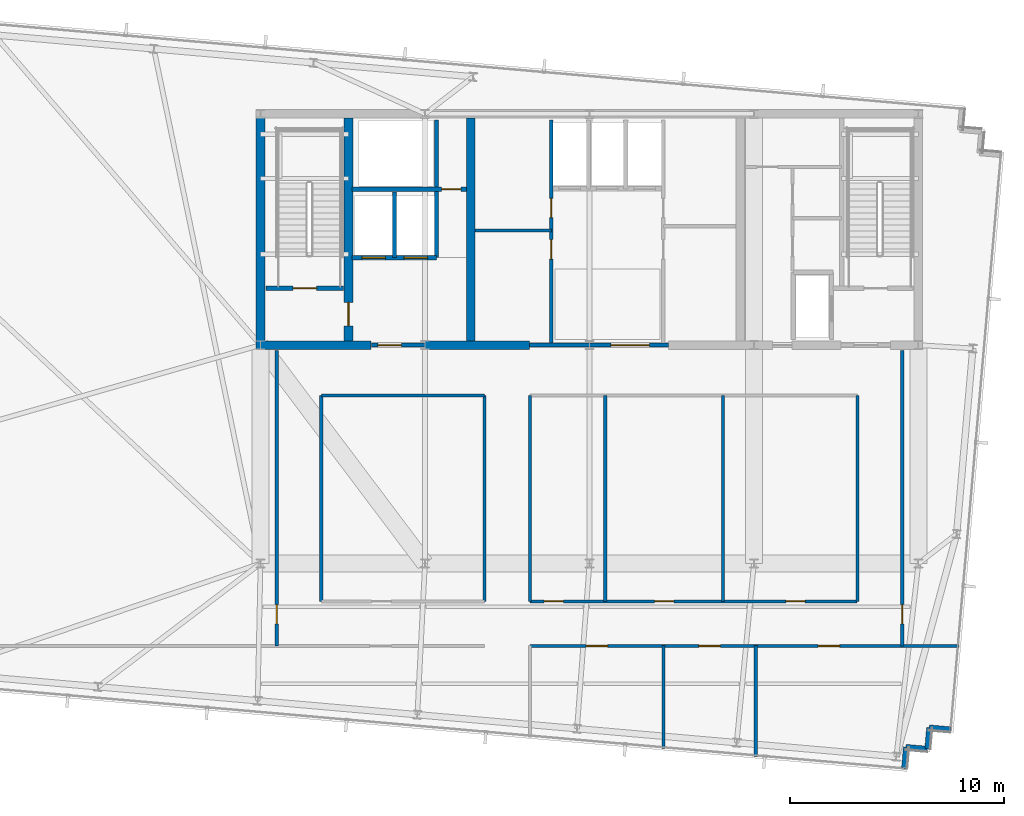
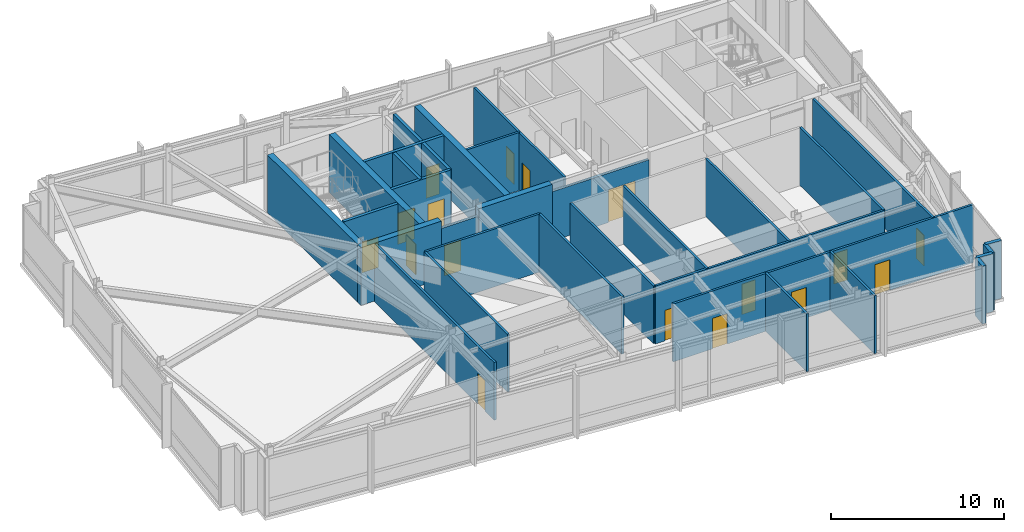
# One storey, part 19 of 25: 31 walls, 17 doors, 17 openings.
"""IFC4 building model written with IfcOpenShell, lengths in metres."""

import ifcopenshell
import ifcopenshell.guid

model = None  # the IFC model being written
_history = None  # IfcOwnerHistory: only IFC2X3 demands one
_inside = {}  # id of a spatial element -> (the spatial element, [elements in it])
_under = {}  # id of a project, library or spatial element -> (it, [spatial elements below it])
_declared = {}  # id of a project -> (the project, [libraries it declares])
_typed = {}  # id of a type object -> (the type object, [elements of that type])
_made_of = {}  # id of a material, layer set ... -> (it, [elements and type objects made of it])


def new_model(schema):
    """Start an empty IFC model of exactly this schema.

    Asked for "IFC4X3", IfcOpenShell would pick the latest addendum, in which some entities
    have other attributes; the version numbers below select the first issue.
    IFC2X3 requires an IfcOwnerHistory on every rooted entity: one is made here for all.
    """
    global model, _history
    if schema == "IFC4X3":
        model = ifcopenshell.file(schema_version=(4, 3, 0, 0))
    else:
        model = ifcopenshell.file(schema=schema)
    _inside.clear()
    _under.clear()
    _declared.clear()
    _typed.clear()
    _made_of.clear()
    _history = None
    if model.schema == "IFC2X3":
        org = make("IfcOrganization", Name="unknown")
        user = make(
            "IfcPersonAndOrganization",
            ThePerson=make("IfcPerson", FamilyName="unknown"),
            TheOrganization=org,
        )
        app = make(
            "IfcApplication",
            ApplicationDeveloper=org,
            Version="unknown",
            ApplicationFullName="unknown",
            ApplicationIdentifier="unknown",
        )
        _history = make(
            "IfcOwnerHistory",
            OwningUser=user,
            OwningApplication=app,
            ChangeAction="ADDED",
            CreationDate=0,
        )
    return model


def make(cls, **values):
    """One entity of the class cls with the attributes given. An attribute that is None is left unset."""
    return model.create_entity(
        cls, **{name: value for name, value in values.items() if value is not None}
    )


def rooted(cls, **values):
    """An entity with a GlobalId (a new one), such as an element, a storey or a relation."""
    return make(cls, GlobalId=ifcopenshell.guid.new(), OwnerHistory=_history, **values)


def si_unit(unit_type, name, prefix=None):
    """IfcSIUnit, for example si_unit("LENGTHUNIT", "METRE", prefix="MILLI")."""
    return make("IfcSIUnit", UnitType=unit_type, Prefix=prefix, Name=name)


def assignment(units):
    """IfcUnitAssignment: the units of a project."""
    return None if units is None else make("IfcUnitAssignment", Units=units)


def point(xyz):
    """IfcCartesianPoint."""
    return None if xyz is None else make("IfcCartesianPoint", Coordinates=xyz)


def direction(xyz):
    """IfcDirection."""
    return None if xyz is None else make("IfcDirection", DirectionRatios=xyz)


def frame(location, z_axis=None, x_axis=None):
    """IfcAxis2Placement3D, a coordinate frame: its origin and axes. An axis left out is left unset."""
    return make(
        "IfcAxis2Placement3D",
        Location=point(location),
        Axis=direction(z_axis),
        RefDirection=direction(x_axis),
    )


def frame_2d(location, x_axis=None):
    """IfcAxis2Placement2D, a coordinate frame in the plane: its origin and x axis."""
    return make(
        "IfcAxis2Placement2D", Location=point(location), RefDirection=direction(x_axis)
    )


def origin():
    """The frame at (0, 0, 0) with its axes left unset."""
    return frame((0.0, 0.0, 0.0))


def place(relative_to, where):
    """IfcLocalPlacement: puts the frame where relative to a parent placement (None: the world)."""
    return make(
        "IfcLocalPlacement", PlacementRelTo=relative_to, RelativePlacement=where
    )


def context(
    kind, dimensions, precision=None, world=None, true_north=None, identifier=None
):
    """IfcGeometricRepresentationContext, for example the 3D "Model" context."""
    return make(
        "IfcGeometricRepresentationContext",
        ContextIdentifier=identifier,
        ContextType=kind,
        CoordinateSpaceDimension=dimensions,
        Precision=precision,
        WorldCoordinateSystem=world,
        TrueNorth=true_north,
    )


def subcontext(parent, identifier, kind, view, scale=None):
    """IfcGeometricRepresentationSubContext, for example "Body" below "Model"."""
    return make(
        "IfcGeometricRepresentationSubContext",
        ContextIdentifier=identifier,
        ContextType=kind,
        ParentContext=parent,
        TargetScale=scale,
        TargetView=view,
    )


def project(units=None, contexts=None):
    """IfcProject with its units and contexts."""
    return rooted(
        "IfcProject",
        Name="project",
        RepresentationContexts=contexts,
        UnitsInContext=assignment(units),
    )


def spatial(cls, under=None, at=None, **own):
    """A site, building, storey or space (cls), placed at a placement, below another one or the project."""
    s = rooted(cls, ObjectPlacement=at, **own)
    if under is not None:
        _under.setdefault(under.id(), (under, []))[1].append(s)
    return s


def profile(cls, at=None, kind="AREA", **sizes):
    """A parametric profile (cls). Its sizes go by their IFC names, for example OverallWidth=200.0."""
    return make(cls, ProfileType=kind, Position=at, **sizes)


def rectangle(**sizes):
    """IfcRectangleProfileDef."""
    return profile("IfcRectangleProfileDef", **sizes)


def extrude(swept, where, along, depth):
    """IfcExtrudedAreaSolid: the profile swept, set in the frame where, extruded along a direction by depth."""
    return make(
        "IfcExtrudedAreaSolid",
        SweptArea=swept,
        Position=where,
        ExtrudedDirection=direction(along),
        Depth=depth,
    )


def shape(context_of_items, identifier, shape_type, items):
    """IfcShapeRepresentation: the items that make up one representation, for example the "Body"."""
    return make(
        "IfcShapeRepresentation",
        ContextOfItems=context_of_items,
        RepresentationIdentifier=identifier,
        RepresentationType=shape_type,
        Items=items,
    )


def material(Name=None, Category=None):
    """IfcMaterial."""
    return make("IfcMaterial", Name=Name, Category=Category)


def layer(
    of_material, thickness, ventilated=None, Name=None, Category=None, Priority=None
):
    """IfcMaterialLayer: one layer of a wall or slab, of a material (None: an air gap)."""
    return make(
        "IfcMaterialLayer",
        Material=of_material,
        LayerThickness=thickness,
        IsVentilated=ventilated,
        Name=Name,
        Category=Category,
        Priority=Priority,
    )


def layer_set(layers, Name=None):
    """IfcMaterialLayerSet."""
    return make("IfcMaterialLayerSet", MaterialLayers=layers, LayerSetName=Name)


def made_of(thing, what):
    """Note that an element or type object is made of a material, layer set ...; save() writes the relation."""
    if what is not None:
        _made_of.setdefault(what.id(), (what, []))[1].append(thing)
    return thing


def type_object(cls, material=None, **own):
    """A type object (cls), such as IfcWallType, which elements share."""
    return made_of(rooted(cls, **own), material)


def element(
    cls,
    number,
    at=None,
    inside=None,
    cuts=None,
    type_object=None,
    material=None,
    context=None,
    identifier="Body",
    shape_type=None,
    held_by="IfcProductDefinitionShape",
    body=None,
    shapes=None,
    **own,
):
    """One element of the class cls, such as IfcWall. Its Tag is "e" and its number.

    at: its placement. inside: the storey or other place that contains it. cuts: it is an
    opening in that element (IfcRelVoidsElement). A single representation is given by context,
    identifier, shape_type and body (its items); several are given by shapes. held_by: the class
    of the entity that holds the representations. save() writes the other relations.
    """
    e = rooted(cls, Tag="e%d" % number, ObjectPlacement=at, **own)
    if body is not None:
        shapes = [shape(context, identifier, shape_type, body)]
    if shapes is not None:
        e.Representation = make(held_by, Representations=shapes)
    if inside is not None:
        _inside.setdefault(inside.id(), (inside, []))[1].append(e)
    if cuts is not None:
        rooted(
            "IfcRelVoidsElement", RelatingBuildingElement=cuts, RelatedOpeningElement=e
        )
    if type_object is not None:
        _typed.setdefault(type_object.id(), (type_object, []))[1].append(e)
    return made_of(e, material)


def fill(opening, filler):
    """IfcRelFillsElement: the door or window that sits in an opening."""
    return rooted(
        "IfcRelFillsElement",
        RelatingOpeningElement=opening,
        RelatedBuildingElement=filler,
    )


def aggregate(whole, parts):
    """IfcRelAggregates: a whole, such as a stair, and the parts it consists of."""
    return rooted("IfcRelAggregates", RelatingObject=whole, RelatedObjects=parts)


def save(model, path):
    """Write the relations noted so far, then the file.

    IfcRelAggregates (storeys below a building ...), IfcRelContainedInSpatialStructure (elements
    in a storey), IfcRelDefinesByType, IfcRelAssociatesMaterial and IfcRelDeclares: one each for
    every whole, place, type object, material and project.
    """
    for whole, parts in _under.values():
        aggregate(whole, parts)
    for where, things in _inside.values():
        rooted(
            "IfcRelContainedInSpatialStructure",
            RelatedElements=things,
            RelatingStructure=where,
        )
    for kind, things in _typed.values():
        rooted("IfcRelDefinesByType", RelatedObjects=things, RelatingType=kind)
    for what, things in _made_of.values():
        rooted("IfcRelAssociatesMaterial", RelatedObjects=things, RelatingMaterial=what)
    for by, libraries in _declared.values():
        rooted("IfcRelDeclares", RelatingContext=by, RelatedDefinitions=libraries)
    model.write(path)


model = new_model("IFC4")

# Units and contexts
model_context = context("Model", 3, precision=1e-05, world=origin(), true_north=direction((0.0, 1.0)))
body_context = subcontext(model_context, "Body", "Model", "MODEL_VIEW")
ifc_project = project(units=[si_unit("LENGTHUNIT", "METRE"), si_unit("AREAUNIT", "SQUARE_METRE"), si_unit("VOLUMEUNIT", "CUBIC_METRE"), si_unit("PLANEANGLEUNIT", "RADIAN"), si_unit("MASSUNIT", "GRAM", prefix="KILO")], contexts=[model_context])

# Site, building, storey
site_placement = place(None, origin())
site = spatial("IfcSite", under=ifc_project, at=site_placement, CompositionType="ELEMENT")
building_placement = place(site_placement, origin())
building = spatial("IfcBuilding", under=site, at=building_placement, Name="Yelkora Congress Tower", CompositionType="ELEMENT")
storey_placement = place(building_placement, frame((0.0, 0.0, 299.89990234375)))
storey = spatial("IfcBuildingStorey", under=building, at=storey_placement, Name="L84", CompositionType="ELEMENT", Elevation=299.89990234375)

# Walls
ifc_material_1 = material(Name="Concrete C50/60", Category="concrete")
ifc_layer_1 = layer(ifc_material_1, 0.39990234375)
ifc_layer_set_1 = layer_set([ifc_layer_1], Name="Concrete C50/60")
wall_type_1 = type_object("IfcWallType", Name="WALL-CORE-INT-400", PredefinedType="SHEAR", material=ifc_layer_set_1)
wall_1_placement = place(storey_placement, frame((22.840087890625, 35.39990234375, 0.0), z_axis=(0.0, 0.0, 1.0), x_axis=(1.0, 0.0, 0.0)))
element("IfcWall", 1, at=wall_1_placement, inside=storey, type_object=wall_type_1, Name="L84 Rear Core South-West Shear Wall", PredefinedType="SHEAR", context=body_context, shape_type="SweptSolid", body=[
    extrude(rectangle(XDim=5.35986328125, YDim=0.39990234375, at=frame_2d((2.679931640625, 0.0))), origin(), (0.0, 0.0, 1.0), 4.080078125),
])
wall_2_placement = place(storey_placement, frame((30.719970703125, 35.39990234375, 0.0), z_axis=(0.0, 0.0, 1.0), x_axis=(1.0, 0.0, 0.0)))
element("IfcWall", 2, at=wall_2_placement, inside=storey, type_object=wall_type_1, Name="L84 Rear Core South-Center Shear Pier", PredefinedType="SHEAR", context=body_context, shape_type="SweptSolid", body=[
    extrude(rectangle(XDim=4.880126953125, YDim=0.39990234375, at=frame_2d((2.43994140625, 0.0))), origin(), (0.0, 0.0, 1.0), 4.080078125),
])
wall_3_placement = place(storey_placement, frame((23.0400390625, 35.60009765625, 0.0), z_axis=(0.0, 0.0, 1.0), x_axis=(0.0, 1.0, 0.0)))
element("IfcWall", 3, at=wall_3_placement, inside=storey, type_object=wall_type_1, Name="L84 Rear Core Cross Shear Wall W", PredefinedType="SHEAR", context=body_context, shape_type="SweptSolid", body=[
    extrude(rectangle(XDim=10.39990234375, YDim=0.39990234375, at=frame_2d((5.199951171875, 0.0))), origin(), (0.0, 0.0, 1.0), 4.080078125),
])

# Wall, opening, door
wall_4_placement = place(storey_placement, frame((27.14990234375, 35.60009765625, 0.0), z_axis=(0.0, 0.0, 1.0), x_axis=(0.0, 1.0, 0.0)))
wall_4 = element("IfcWall", 4, at=wall_4_placement, inside=storey, type_object=wall_type_1, Name="L84 Rear Core Cross Shear Wall C1", PredefinedType="SHEAR", context=body_context, shape_type="SweptSolid", body=[
    extrude(rectangle(XDim=10.39990234375, YDim=0.39990234375, at=frame_2d((5.199951171875, 0.0))), origin(), (0.0, 0.0, 1.0), 4.080078125),
])
opening_1_placement = place(wall_4_placement, frame((0.699951171875, 0.0, 0.0)))
opening_1 = element("IfcOpeningElement", 5, at=opening_1_placement, cuts=wall_4, Name="Opening DR-110F9", PredefinedType="OPENING", context=body_context, shape_type="SweptSolid", body=[
    extrude(rectangle(XDim=1.10009765625, YDim=2.14990234375, at=frame_2d((0.550048828125, 1.074951171875))), frame((0.0, 0.2099609375, 0.0), z_axis=(0.0, -1.0, 0.0), x_axis=(1.0, 0.0, 0.0)), (0.0, 0.0, 1.0), 0.419921875),
])
ifc_material_2 = material(Name="Galvanised steel fire door leaf", Category="steel")
door_type_1 = type_object("IfcDoorType", Name="DOOR-FD90-1100", OperationType="NOTDEFINED", PredefinedType="DOOR", material=ifc_material_2)
door_1_placement = place(opening_1_placement, origin())
door_1 = element("IfcDoor", 6, at=door_1_placement, inside=storey, type_object=door_type_1, Name="L84 Firefighting Stair Transfer Door", OperationType="SINGLE_SWING_LEFT", OverallHeight=2.14990234375, OverallWidth=1.10009765625, PredefinedType="DOOR", context=body_context, shape_type="SweptSolid", body=[
    extrude(rectangle(XDim=1.10009765625, YDim=2.14990234375, at=frame_2d((0.550048828125, 1.074951171875))), frame((0.0, 0.02490234375, 0.0), z_axis=(0.0, -1.0, 0.0), x_axis=(1.0, 0.0, 0.0)), (0.0, 0.0, 1.0), 0.050048828125),
])
fill(opening_1, door_1)

# Walls
wall_5_placement = place(storey_placement, frame((32.85009765625, 35.60009765625, 0.0), z_axis=(0.0, 0.0, 1.0), x_axis=(0.0, 1.0, 0.0)))
element("IfcWall", 7, at=wall_5_placement, inside=storey, type_object=wall_type_1, Name="L84 Rear Core Cross Shear Wall C2", PredefinedType="SHEAR", context=body_context, shape_type="SweptSolid", body=[
    extrude(rectangle(XDim=10.39990234375, YDim=0.39990234375, at=frame_2d((5.199951171875, 0.0))), origin(), (0.0, 0.0, 1.0), 4.080078125),
])
ifc_material_3 = material(Name="Concrete C40/50", Category="concrete")
ifc_layer_2 = layer(ifc_material_3, 0.239990234375)
ifc_layer_set_2 = layer_set([ifc_layer_2], Name="Concrete C40/50")
wall_type_2 = type_object("IfcWallType", Name="WALL-EXT-LIMESTONE-240", PredefinedType="SOLIDWALL", material=ifc_layer_set_2)
for number, where, z_axis, x_axis, name in (
    (8, (55.2578125, 17.458740234375, 0.0), (0.0, 0.0, 1.0), (-0.996193717496, 0.087166950281, 0.0), "L84 Serrated Corner Limestone Pier 16"),
    (9, (54.26171875, 17.5458984375, 0.0), (0.0, 0.0, 1.0), (-0.087166950281, -0.996193717496, 0.0), "L84 Serrated Corner Limestone Pier 17"),
):
    element("IfcWall", number, at=place(storey_placement, frame(where, z_axis=z_axis, x_axis=x_axis)), inside=storey, type_object=wall_type_2, Name=name, PredefinedType="SOLIDWALL", context=body_context, shape_type="SweptSolid", body=[
        extrude(rectangle(XDim=1.0, YDim=0.239990234375, at=frame_2d((0.5, 0.0))), origin(), (0.0, 0.0, 1.0), 4.080078125),
    ])
for number, where, z_axis, x_axis, name in (
    (10, (54.174560546875, 16.5498046875, 0.0), (0.0, 0.0, 1.0), (-0.996195572005, 0.087145753297, 0.0), "L84 Serrated Corner Limestone Pier 18"),
    (11, (53.17822265625, 16.636962890625, 0.0), (0.0, 0.0, 1.0), (-0.087145753297, -0.996195572005, 0.0), "L84 Serrated Corner Limestone Pier 19"),
):
    element("IfcWall", number, at=place(storey_placement, frame(where, z_axis=z_axis, x_axis=x_axis)), inside=storey, type_object=wall_type_2, Name=name, PredefinedType="SOLIDWALL", context=body_context, shape_type="SweptSolid", body=[
        extrude(rectangle(XDim=1.000244140625, YDim=0.239990234375, at=frame_2d((0.5, 0.0))), origin(), (0.0, 0.0, 1.0), 4.080078125),
    ])
ifc_material_4 = material(Name="Acoustic metal-stud gypsum partition", Category="gypsum")
ifc_layer_3 = layer(ifc_material_4, 0.14990234375)
ifc_layer_set_3 = layer_set([ifc_layer_3], Name="Acoustic metal-stud gypsum partition")
wall_type_3 = type_object("IfcWallType", Name="WALL-INT-150-NR", PredefinedType="PARTITIONING", material=ifc_layer_set_3)
wall_6_placement = place(storey_placement, frame((41.863037109375, 16.562744140625, 0.0), z_axis=(0.0, 0.0, 1.0), x_axis=(0.0, 1.0, 0.0)))
element("IfcWall", 12, at=wall_6_placement, inside=storey, type_object=wall_type_3, Name="L84 Partition Wall 24", PredefinedType="PARTITIONING", context=body_context, shape_type="SweptSolid", body=[
    extrude(rectangle(XDim=4.807373046875, YDim=0.14990234375, at=frame_2d((2.40380859375, 0.0))), origin(), (0.0, 0.0, 1.0), 4.080078125),
])
wall_7_placement = place(storey_placement, frame((46.1640625, 16.1865234375, 0.0), z_axis=(0.0, 0.0, 1.0), x_axis=(0.0, 1.0, 0.0)))
element("IfcWall", 13, at=wall_7_placement, inside=storey, type_object=wall_type_3, Name="L84 Partition Wall 25", PredefinedType="PARTITIONING", context=body_context, shape_type="SweptSolid", body=[
    extrude(rectangle(XDim=5.18359375, YDim=0.14990234375, at=frame_2d((2.591796875, 0.0))), origin(), (0.0, 0.0, 1.0), 4.080078125),
])

# Wall, openings, doors
wall_8_placement = place(storey_placement, frame((35.6201171875, 21.35009765625, 0.0), z_axis=(0.0, 0.0, 1.0), x_axis=(1.0, 0.0, 0.0)))
wall_8 = element("IfcWall", 14, at=wall_8_placement, inside=storey, type_object=wall_type_3, Name="L84 South Spine Wall East", PredefinedType="PARTITIONING", context=body_context, shape_type="SweptSolid", body=[
    extrude(rectangle(XDim=20.038330078125, YDim=0.14990234375, at=frame_2d((10.01904296875, 0.0))), origin(), (0.0, 0.0, 1.0), 4.080078125),
])
opening_2_placement = place(wall_8_placement, frame((2.62646484375, 0.0, 0.0)))
opening_2 = element("IfcOpeningElement", 15, at=opening_2_placement, cuts=wall_8, Name="Opening DR-100N", PredefinedType="OPENING", context=body_context, shape_type="SweptSolid", body=[
    extrude(rectangle(XDim=1.0, YDim=2.14990234375, at=frame_2d((0.5, 1.074951171875))), frame((0.0, 0.0849609375, 0.0), z_axis=(0.0, -1.0, 0.0), x_axis=(1.0, 0.0, 0.0)), (0.0, 0.0, 1.0), 0.169921875),
])
opening_3_placement = place(wall_8_placement, frame((7.8935546875, 0.0, 0.0)))
opening_3 = element("IfcOpeningElement", 16, at=opening_3_placement, cuts=wall_8, Name="Opening DR-100N", PredefinedType="OPENING", context=body_context, shape_type="SweptSolid", body=[
    extrude(rectangle(XDim=1.0, YDim=2.14990234375, at=frame_2d((0.5, 1.074951171875))), frame((0.0, 0.0849609375, 0.0), z_axis=(0.0, -1.0, 0.0), x_axis=(1.0, 0.0, 0.0)), (0.0, 0.0, 1.0), 0.169921875),
])
opening_4_placement = place(wall_8_placement, frame((13.4619140625, 0.0, 0.0)))
opening_4 = element("IfcOpeningElement", 17, at=opening_4_placement, cuts=wall_8, Name="Opening DR-100N", PredefinedType="OPENING", context=body_context, shape_type="SweptSolid", body=[
    extrude(rectangle(XDim=1.0, YDim=2.14990234375, at=frame_2d((0.5, 1.074951171875))), frame((0.0, 0.0849609375, 0.0), z_axis=(0.0, -1.0, 0.0), x_axis=(1.0, 0.0, 0.0)), (0.0, 0.0, 1.0), 0.169921875),
])
ifc_material_5 = material(Name="Solid-core Anatolian oak veneer door", Category="wood")
door_type_2 = type_object("IfcDoorType", Name="DOOR-INT-1000", OperationType="NOTDEFINED", PredefinedType="DOOR", material=ifc_material_5)
door_2_placement = place(opening_2_placement, origin())
door_2 = element("IfcDoor", 18, at=door_2_placement, inside=storey, type_object=door_type_2, Name="L84 Diplomatic Banquet Room Door", OperationType="SINGLE_SWING_LEFT", OverallHeight=2.14990234375, OverallWidth=1.0, PredefinedType="DOOR", context=body_context, shape_type="SweptSolid", body=[
    extrude(rectangle(XDim=1.0, YDim=2.14990234375, at=frame_2d((0.5, 1.074951171875))), frame((0.0, 0.02490234375, 0.0), z_axis=(0.0, -1.0, 0.0), x_axis=(1.0, 0.0, 0.0)), (0.0, 0.0, 1.0), 0.050048828125),
])
fill(opening_2, door_2)
door_3_placement = place(opening_3_placement, origin())
door_3 = element("IfcDoor", 19, at=door_3_placement, inside=storey, type_object=door_type_2, Name="L84 Summit Press Studio Door", OperationType="SINGLE_SWING_RIGHT", OverallHeight=2.14990234375, OverallWidth=1.0, PredefinedType="DOOR", context=body_context, shape_type="SweptSolid", body=[
    extrude(rectangle(XDim=1.0, YDim=2.14990234375, at=frame_2d((0.5, 1.074951171875))), frame((0.0, 0.02490234375, 0.0), z_axis=(0.0, -1.0, 0.0), x_axis=(1.0, 0.0, 0.0)), (0.0, 0.0, 1.0), 0.050048828125),
])
fill(opening_3, door_3)
door_4_placement = place(opening_4_placement, origin())
door_4 = element("IfcDoor", 20, at=door_4_placement, inside=storey, type_object=door_type_2, Name="L84 Finishing Kitchen Door", OperationType="SINGLE_SWING_LEFT", OverallHeight=2.14990234375, OverallWidth=1.0, PredefinedType="DOOR", context=body_context, shape_type="SweptSolid", body=[
    extrude(rectangle(XDim=1.0, YDim=2.14990234375, at=frame_2d((0.5, 1.074951171875))), frame((0.0, 0.02490234375, 0.0), z_axis=(0.0, -1.0, 0.0), x_axis=(1.0, 0.0, 0.0)), (0.0, 0.0, 1.0), 0.050048828125),
])
fill(opening_4, door_4)

# Wall, opening, door
wall_9_placement = place(storey_placement, frame((23.800048828125, 21.35009765625, 0.0), z_axis=(0.0, 0.0, 1.0), x_axis=(0.0, 1.0, 0.0)))
wall_9 = element("IfcWall", 21, at=wall_9_placement, inside=storey, type_object=wall_type_3, Name="L84 Partition Wall 28", PredefinedType="PARTITIONING", context=body_context, shape_type="SweptSolid", body=[
    extrude(rectangle(XDim=13.789794921875, YDim=0.14990234375, at=frame_2d((6.89501953125, 0.0))), origin(), (0.0, 0.0, 1.0), 4.080078125),
])
opening_5_placement = place(wall_9_placement, frame((1.030029296875, 0.0, 0.0)))
opening_5 = element("IfcOpeningElement", 22, at=opening_5_placement, cuts=wall_9, Name="Opening DR-090N", PredefinedType="OPENING", context=body_context, shape_type="SweptSolid", body=[
    extrude(rectangle(XDim=0.89990234375, YDim=2.14990234375, at=frame_2d((0.449951171875, 1.074951171875))), frame((0.0, 0.0849609375, 0.0), z_axis=(0.0, -1.0, 0.0), x_axis=(1.0, 0.0, 0.0)), (0.0, 0.0, 1.0), 0.169921875),
])
ifc_material_6 = material(Name="Moisture-resistant laminate door leaf", Category="wood")
door_type_3 = type_object("IfcDoorType", Name="DOOR-INT-900", OperationType="NOTDEFINED", PredefinedType="DOOR", material=ifc_material_6)
door_5_placement = place(opening_5_placement, origin())
door_5 = element("IfcDoor", 23, at=door_5_placement, inside=storey, type_object=door_type_3, Name="L84 W Wing Door", OperationType="SINGLE_SWING_RIGHT", OverallHeight=2.14990234375, OverallWidth=0.89990234375, PredefinedType="DOOR", context=body_context, shape_type="SweptSolid", body=[
    extrude(rectangle(XDim=0.89990234375, YDim=2.14990234375, at=frame_2d((0.449951171875, 1.074951171875))), frame((0.0, 0.02490234375, 0.0), z_axis=(0.0, -1.0, 0.0), x_axis=(1.0, 0.0, 0.0)), (0.0, 0.0, 1.0), 0.050048828125),
])
fill(opening_5, door_5)

wall_10_placement = place(storey_placement, frame((53.0, 21.35009765625, 0.0), z_axis=(0.0, 0.0, 1.0), x_axis=(0.0, 1.0, 0.0)))
wall_10 = element("IfcWall", 24, at=wall_10_placement, inside=storey, type_object=wall_type_3, Name="L84 Partition Wall 29", PredefinedType="PARTITIONING", context=body_context, shape_type="SweptSolid", body=[
    extrude(rectangle(XDim=13.789794921875, YDim=0.14990234375, at=frame_2d((6.89501953125, 0.0))), origin(), (0.0, 0.0, 1.0), 4.080078125),
])
opening_6_placement = place(wall_10_placement, frame((1.030029296875, 0.0, 0.0)))
opening_6 = element("IfcOpeningElement", 25, at=opening_6_placement, cuts=wall_10, Name="Opening DR-090N", PredefinedType="OPENING", context=body_context, shape_type="SweptSolid", body=[
    extrude(rectangle(XDim=0.89990234375, YDim=2.14990234375, at=frame_2d((0.449951171875, 1.074951171875))), frame((0.0, 0.0849609375, 0.0), z_axis=(0.0, -1.0, 0.0), x_axis=(1.0, 0.0, 0.0)), (0.0, 0.0, 1.0), 0.169921875),
])
door_6_placement = place(opening_6_placement, origin())
door_6 = element("IfcDoor", 26, at=door_6_placement, inside=storey, type_object=door_type_3, Name="L84 E Wing Door", OperationType="SINGLE_SWING_LEFT", OverallHeight=2.14990234375, OverallWidth=0.89990234375, PredefinedType="DOOR", context=body_context, shape_type="SweptSolid", body=[
    extrude(rectangle(XDim=0.89990234375, YDim=2.14990234375, at=frame_2d((0.449951171875, 1.074951171875))), frame((0.0, 0.02490234375, 0.0), z_axis=(0.0, -1.0, 0.0), x_axis=(1.0, 0.0, 0.0)), (0.0, 0.0, 1.0), 0.050048828125),
])
fill(opening_6, door_6)

# Walls
for number, where, z_axis, x_axis, name in (
    (27, (25.8798828125, 23.429931640625, 0.0), (0.0, 0.0, 1.0), (0.0, 1.0, 0.0), "L84 Partition Wall 30"),
    (28, (50.919921875, 23.429931640625, 0.0), (0.0, 0.0, 1.0), (0.0, 1.0, 0.0), "L84 Partition Wall 31"),
    (29, (33.5, 23.429931640625, 0.0), (0.0, 0.0, 1.0), (0.0, 1.0, 0.0), "L84 Partition Wall 32"),
    (30, (35.6201171875, 23.429931640625, 0.0), (0.0, 0.0, 1.0), (0.0, 1.0, 0.0), "L84 Partition Wall 33"),
):
    element("IfcWall", number, at=place(storey_placement, frame(where, z_axis=z_axis, x_axis=x_axis)), inside=storey, type_object=wall_type_3, Name=name, PredefinedType="PARTITIONING", context=body_context, shape_type="SweptSolid", body=[
        extrude(rectangle(XDim=9.6201171875, YDim=0.14990234375, at=frame_2d((4.81005859375, 0.0))), origin(), (0.0, 0.0, 1.0), 4.080078125),
    ])
wall_11_placement = place(storey_placement, frame((25.8798828125, 33.050048828125, 0.0), z_axis=(0.0, 0.0, 1.0), x_axis=(1.0, 0.0, 0.0)))
element("IfcWall", 31, at=wall_11_placement, inside=storey, type_object=wall_type_3, Name="L84 Partition Wall 34", PredefinedType="PARTITIONING", context=body_context, shape_type="SweptSolid", body=[
    extrude(rectangle(XDim=7.6201171875, YDim=0.14990234375, at=frame_2d((3.81005859375, 0.0))), origin(), (0.0, 0.0, 1.0), 4.080078125),
])
for number, where, z_axis, x_axis, name in (
    (32, (39.14208984375, 23.429931640625, 0.0), (0.0, 0.0, 1.0), (0.0, 1.0, 0.0), "L84 Partition Wall 37"),
    (33, (44.638916015625, 23.429931640625, 0.0), (0.0, 0.0, 1.0), (0.0, 1.0, 0.0), "L84 Partition Wall 38"),
):
    element("IfcWall", number, at=place(storey_placement, frame(where, z_axis=z_axis, x_axis=x_axis)), inside=storey, type_object=wall_type_3, Name=name, PredefinedType="PARTITIONING", context=body_context, shape_type="SweptSolid", body=[
        extrude(rectangle(XDim=9.6201171875, YDim=0.14990234375, at=frame_2d((4.81005859375, 0.0))), origin(), (0.0, 0.0, 1.0), 4.080078125),
    ])

# Wall, openings, doors
wall_12_placement = place(storey_placement, frame((35.6298828125, 23.429931640625, 0.0), z_axis=(0.0, 0.0, 1.0), x_axis=(1.0, 0.0, 0.0)))
wall_12 = element("IfcWall", 34, at=wall_12_placement, inside=storey, type_object=wall_type_3, Name="L84 Partition Wall 39", PredefinedType="PARTITIONING", context=body_context, shape_type="SweptSolid", body=[
    extrude(rectangle(XDim=15.27001953125, YDim=0.14990234375, at=frame_2d((7.635009765625, 0.0))), origin(), (0.0, 0.0, 1.0), 4.080078125),
])
opening_7_placement = place(wall_12_placement, frame((0.64990234375, 0.0, 0.0)))
opening_7 = element("IfcOpeningElement", 35, at=opening_7_placement, cuts=wall_12, Name="Opening DR-090N", PredefinedType="OPENING", context=body_context, shape_type="SweptSolid", body=[
    extrude(rectangle(XDim=0.89990234375, YDim=2.14990234375, at=frame_2d((0.449951171875, 1.074951171875))), frame((0.0, 0.0849609375, 0.0), z_axis=(0.0, -1.0, 0.0), x_axis=(1.0, 0.0, 0.0)), (0.0, 0.0, 1.0), 0.169921875),
])
opening_8_placement = place(wall_12_placement, frame((5.810546875, 0.0, 0.0)))
opening_8 = element("IfcOpeningElement", 36, at=opening_8_placement, cuts=wall_12, Name="Opening DR-090N", PredefinedType="OPENING", context=body_context, shape_type="SweptSolid", body=[
    extrude(rectangle(XDim=0.89990234375, YDim=2.14990234375, at=frame_2d((0.449951171875, 1.074951171875))), frame((0.0, 0.0849609375, 0.0), z_axis=(0.0, -1.0, 0.0), x_axis=(1.0, 0.0, 0.0)), (0.0, 0.0, 1.0), 0.169921875),
])
opening_9_placement = place(wall_12_placement, frame((11.943359375, 0.0, 0.0)))
opening_9 = element("IfcOpeningElement", 37, at=opening_9_placement, cuts=wall_12, Name="Opening DR-090N", PredefinedType="OPENING", context=body_context, shape_type="SweptSolid", body=[
    extrude(rectangle(XDim=0.89990234375, YDim=2.14990234375, at=frame_2d((0.449951171875, 1.074951171875))), frame((0.0, 0.0849609375, 0.0), z_axis=(0.0, -1.0, 0.0), x_axis=(1.0, 0.0, 0.0)), (0.0, 0.0, 1.0), 0.169921875),
])
door_7_placement = place(opening_7_placement, origin())
door_7 = element("IfcDoor", 38, at=door_7_placement, inside=storey, type_object=door_type_3, Name="L84 Executive Study Office Door", OperationType="SINGLE_SWING_LEFT", OverallHeight=2.14990234375, OverallWidth=0.89990234375, PredefinedType="DOOR", context=body_context, shape_type="SweptSolid", body=[
    extrude(rectangle(XDim=0.89990234375, YDim=2.14990234375, at=frame_2d((0.449951171875, 1.074951171875))), frame((0.0, 0.02490234375, 0.0), z_axis=(0.0, -1.0, 0.0), x_axis=(1.0, 0.0, 0.0)), (0.0, 0.0, 1.0), 0.050048828125),
])
fill(opening_7, door_7)
door_8_placement = place(opening_8_placement, origin())
door_8 = element("IfcDoor", 39, at=door_8_placement, inside=storey, type_object=door_type_3, Name="L84 Delegate Reading Lounge Door", OperationType="SINGLE_SWING_RIGHT", OverallHeight=2.14990234375, OverallWidth=0.89990234375, PredefinedType="DOOR", context=body_context, shape_type="SweptSolid", body=[
    extrude(rectangle(XDim=0.89990234375, YDim=2.14990234375, at=frame_2d((0.449951171875, 1.074951171875))), frame((0.0, 0.02490234375, 0.0), z_axis=(0.0, -1.0, 0.0), x_axis=(1.0, 0.0, 0.0)), (0.0, 0.0, 1.0), 0.050048828125),
])
fill(opening_8, door_8)
door_9_placement = place(opening_9_placement, origin())
door_9 = element("IfcDoor", 40, at=door_9_placement, inside=storey, type_object=door_type_3, Name="L84 Seminar Briefing Room Door", OperationType="SINGLE_SWING_LEFT", OverallHeight=2.14990234375, OverallWidth=0.89990234375, PredefinedType="DOOR", context=body_context, shape_type="SweptSolid", body=[
    extrude(rectangle(XDim=0.89990234375, YDim=2.14990234375, at=frame_2d((0.449951171875, 1.074951171875))), frame((0.0, 0.02490234375, 0.0), z_axis=(0.0, -1.0, 0.0), x_axis=(1.0, 0.0, 0.0)), (0.0, 0.0, 1.0), 0.050048828125),
])
fill(opening_9, door_9)

# Wall
ifc_material_7 = material(Name="Twin-stud fire-rated gypsum partition", Category="gypsum")
ifc_layer_4 = layer(ifc_material_7, 0.14990234375)
ifc_layer_set_4 = layer_set([ifc_layer_4], Name="Twin-stud fire-rated gypsum partition")
wall_type_4 = type_object("IfcWallType", Name="WALL-INT-150-R60", PredefinedType="PARTITIONING", material=ifc_layer_set_4)
wall_13_placement = place(storey_placement, frame((33.050048828125, 40.75, 0.0), z_axis=(0.0, 0.0, 1.0), x_axis=(1.0, 0.0, 0.0)))
element("IfcWall", 41, at=wall_13_placement, inside=storey, type_object=wall_type_4, Name="L84 Partition Wall 11", PredefinedType="PARTITIONING", context=body_context, shape_type="SweptSolid", body=[
    extrude(rectangle(XDim=3.570068359375, YDim=0.14990234375, at=frame_2d((1.78515625, 0.0))), origin(), (0.0, 0.0, 1.0), 4.080078125),
])

# Wall, openings, doors
wall_14_placement = place(storey_placement, frame((36.6201171875, 35.5, 0.0), z_axis=(0.0, 0.0, 1.0), x_axis=(0.0, 1.0, 0.0)))
wall_14 = element("IfcWall", 42, at=wall_14_placement, inside=storey, type_object=wall_type_4, Name="L84 Partition Wall 12", PredefinedType="PARTITIONING", context=body_context, shape_type="SweptSolid", body=[
    extrude(rectangle(XDim=10.419921875, YDim=0.14990234375, at=frame_2d((5.2099609375, 0.0))), origin(), (0.0, 0.0, 1.0), 4.080078125),
])
opening_10_placement = place(wall_14_placement, frame((3.919921875, 0.0, 0.0)))
opening_10 = element("IfcOpeningElement", 43, at=opening_10_placement, cuts=wall_14, Name="Opening DR-090F6", PredefinedType="OPENING", context=body_context, shape_type="SweptSolid", body=[
    extrude(rectangle(XDim=0.89990234375, YDim=2.14990234375, at=frame_2d((0.449951171875, 1.074951171875))), frame((0.0, 0.0849609375, 0.0), z_axis=(0.0, -1.0, 0.0), x_axis=(1.0, 0.0, 0.0)), (0.0, 0.0, 1.0), 0.169921875),
])
opening_11_placement = place(wall_14_placement, frame((5.85009765625, 0.0, 0.0)))
opening_11 = element("IfcOpeningElement", 44, at=opening_11_placement, cuts=wall_14, Name="Opening DR-090F6", PredefinedType="OPENING", context=body_context, shape_type="SweptSolid", body=[
    extrude(rectangle(XDim=0.89990234375, YDim=2.14990234375, at=frame_2d((0.449951171875, 1.074951171875))), frame((0.0, 0.0849609375, 0.0), z_axis=(0.0, -1.0, 0.0), x_axis=(1.0, 0.0, 0.0)), (0.0, 0.0, 1.0), 0.169921875),
])
ifc_material_8 = material(Name="Painted steel riser fire door leaf", Category="steel")
door_type_4 = type_object("IfcDoorType", Name="DOOR-FD60-900", OperationType="NOTDEFINED", PredefinedType="DOOR", material=ifc_material_8)
door_10_placement = place(opening_10_placement, origin())
door_10 = element("IfcDoor", 45, at=door_10_placement, inside=storey, type_object=door_type_4, Name="L84 Telecom Store Door", OperationType="SINGLE_SWING_RIGHT", OverallHeight=2.14990234375, OverallWidth=0.89990234375, PredefinedType="DOOR", context=body_context, shape_type="SweptSolid", body=[
    extrude(rectangle(XDim=0.89990234375, YDim=2.14990234375, at=frame_2d((0.449951171875, 1.074951171875))), frame((0.0, 0.02490234375, 0.0), z_axis=(0.0, -1.0, 0.0), x_axis=(1.0, 0.0, 0.0)), (0.0, 0.0, 1.0), 0.050048828125),
])
fill(opening_10, door_10)
door_11_placement = place(opening_11_placement, origin())
door_11 = element("IfcDoor", 46, at=door_11_placement, inside=storey, type_object=door_type_4, Name="L84 Archive Store Door", OperationType="SINGLE_SWING_LEFT", OverallHeight=2.14990234375, OverallWidth=0.89990234375, PredefinedType="DOOR", context=body_context, shape_type="SweptSolid", body=[
    extrude(rectangle(XDim=0.89990234375, YDim=2.14990234375, at=frame_2d((0.449951171875, 1.074951171875))), frame((0.0, 0.02490234375, 0.0), z_axis=(0.0, -1.0, 0.0), x_axis=(1.0, 0.0, 0.0)), (0.0, 0.0, 1.0), 0.050048828125),
])
fill(opening_11, door_11)

# Wall, opening, door
ifc_material_9 = material(Name="Autoclaved aerated concrete blockwork", Category="masonry")
ifc_layer_5 = layer(ifc_material_9, 0.199951171875)
ifc_layer_set_5 = layer_set([ifc_layer_5], Name="Autoclaved aerated concrete blockwork")
wall_type_5 = type_object("IfcWallType", Name="WALL-INT-200-R120", PredefinedType="PARTITIONING", material=ifc_layer_set_5)
wall_15_placement = place(storey_placement, frame((23.300048828125, 38.050048828125, 0.0), z_axis=(0.0, 0.0, 1.0), x_axis=(1.0, 0.0, 0.0)))
wall_15 = element("IfcWall", 47, at=wall_15_placement, inside=storey, type_object=wall_type_5, Name="L84 Stair ST-01 Enclosure Wall", PredefinedType="PARTITIONING", context=body_context, shape_type="SweptSolid", body=[
    extrude(rectangle(XDim=3.619873046875, YDim=0.199951171875, at=frame_2d((1.81005859375, 0.0))), origin(), (0.0, 0.0, 1.0), 4.080078125),
])
opening_12_placement = place(wall_15_placement, frame((1.260009765625, 0.0, 0.0)))
opening_12 = element("IfcOpeningElement", 48, at=opening_12_placement, cuts=wall_15, Name="Opening DR-110F9", PredefinedType="OPENING", context=body_context, shape_type="SweptSolid", body=[
    extrude(rectangle(XDim=1.10009765625, YDim=2.14990234375, at=frame_2d((0.550048828125, 1.074951171875))), frame((0.0, 0.10986328125, 0.0), z_axis=(0.0, -1.0, 0.0), x_axis=(1.0, 0.0, 0.0)), (0.0, 0.0, 1.0), 0.219970703125),
])
door_12_placement = place(opening_12_placement, origin())
door_12 = element("IfcDoor", 49, at=door_12_placement, inside=storey, type_object=door_type_1, Name="L84 Stair ST-01 Entry Door", OperationType="SINGLE_SWING_LEFT", OverallHeight=2.14990234375, OverallWidth=1.10009765625, PredefinedType="DOOR", context=body_context, shape_type="SweptSolid", body=[
    extrude(rectangle(XDim=1.10009765625, YDim=2.14990234375, at=frame_2d((0.550048828125, 1.074951171875))), frame((0.0, 0.02490234375, 0.0), z_axis=(0.0, -1.0, 0.0), x_axis=(1.0, 0.0, 0.0)), (0.0, 0.0, 1.0), 0.050048828125),
])
fill(opening_12, door_12)

wall_16_placement = place(storey_placement, frame((28.219970703125, 35.39990234375, 0.0), z_axis=(0.0, 0.0, 1.0), x_axis=(1.0, 0.0, 0.0)))
wall_16 = element("IfcWall", 50, at=wall_16_placement, inside=storey, type_object=wall_type_5, Name="L84 Firefighting Lobby South Wall", PredefinedType="PARTITIONING", context=body_context, shape_type="SweptSolid", body=[
    extrude(rectangle(XDim=2.5, YDim=0.199951171875, at=frame_2d((1.25, 0.0))), origin(), (0.0, 0.0, 1.0), 3.47509765625),
])
opening_13_placement = place(wall_16_placement, frame((0.300048828125, 0.0, 0.0)))
opening_13 = element("IfcOpeningElement", 51, at=opening_13_placement, cuts=wall_16, Name="Opening DR-110F9", PredefinedType="OPENING", context=body_context, shape_type="SweptSolid", body=[
    extrude(rectangle(XDim=1.10009765625, YDim=2.14990234375, at=frame_2d((0.550048828125, 1.074951171875))), frame((0.0, 0.10986328125, 0.0), z_axis=(0.0, -1.0, 0.0), x_axis=(1.0, 0.0, 0.0)), (0.0, 0.0, 1.0), 0.219970703125),
])
door_13_placement = place(opening_13_placement, origin())
door_13 = element("IfcDoor", 52, at=door_13_placement, inside=storey, type_object=door_type_1, Name="L84 Firefighting Lobby Corridor Door", OperationType="SINGLE_SWING_RIGHT", OverallHeight=2.14990234375, OverallWidth=1.10009765625, PredefinedType="DOOR", context=body_context, shape_type="SweptSolid", body=[
    extrude(rectangle(XDim=1.10009765625, YDim=2.14990234375, at=frame_2d((0.550048828125, 1.074951171875))), frame((0.0, 0.02490234375, 0.0), z_axis=(0.0, -1.0, 0.0), x_axis=(1.0, 0.0, 0.0)), (0.0, 0.0, 1.0), 0.050048828125),
])
fill(opening_13, door_13)

# Wall, openings, doors
wall_17_placement = place(storey_placement, frame((27.320068359375, 39.47998046875, 0.0), z_axis=(0.0, 0.0, 1.0), x_axis=(1.0, 0.0, 0.0)))
wall_17 = element("IfcWall", 53, at=wall_17_placement, inside=storey, type_object=wall_type_5, Name="L84 Firefighting Lift Front Wall", PredefinedType="PARTITIONING", context=body_context, shape_type="SweptSolid", body=[
    extrude(rectangle(XDim=3.93994140625, YDim=0.199951171875, at=frame_2d((1.969970703125, 0.0))), origin(), (0.0, 0.0, 1.0), 4.080078125),
])
opening_14_placement = place(wall_17_placement, frame((0.449951171875, 0.0, 0.0)))
opening_14 = element("IfcOpeningElement", 54, at=opening_14_placement, cuts=wall_17, Name="Opening LD-FF11", PredefinedType="OPENING", context=body_context, shape_type="SweptSolid", body=[
    extrude(rectangle(XDim=1.10009765625, YDim=2.199951171875, at=frame_2d((0.550048828125, 1.10009765625))), frame((0.0, 0.10986328125, 0.0), z_axis=(0.0, -1.0, 0.0), x_axis=(1.0, 0.0, 0.0)), (0.0, 0.0, 1.0), 0.219970703125),
])
opening_15_placement = place(wall_17_placement, frame((2.409912109375, 0.0, 0.0)))
opening_15 = element("IfcOpeningElement", 55, at=opening_15_placement, cuts=wall_17, Name="Opening LD-FF11", PredefinedType="OPENING", context=body_context, shape_type="SweptSolid", body=[
    extrude(rectangle(XDim=1.10009765625, YDim=2.199951171875, at=frame_2d((0.550048828125, 1.10009765625))), frame((0.0, 0.10986328125, 0.0), z_axis=(0.0, -1.0, 0.0), x_axis=(1.0, 0.0, 0.0)), (0.0, 0.0, 1.0), 0.219970703125),
])
ifc_material_10 = material(Name="Brushed stainless steel 316L landing door", Category="steel")
door_type_5 = type_object("IfcDoorType", Name="DOOR-LIFT-FF-1100", OperationType="DOUBLE_DOOR_SLIDING", PredefinedType="DOOR", material=ifc_material_10)
door_14_placement = place(opening_14_placement, origin())
door_14 = element("IfcDoor", 56, at=door_14_placement, inside=storey, type_object=door_type_5, Name="Lift Landing Door LF-FF1 L84", OperationType="DOUBLE_DOOR_SLIDING", OverallHeight=2.199951171875, OverallWidth=1.10009765625, PredefinedType="DOOR", context=body_context, shape_type="SweptSolid", body=[
    extrude(rectangle(XDim=1.10009765625, YDim=2.199951171875, at=frame_2d((0.550048828125, 1.10009765625))), frame((0.0, 0.02490234375, 0.0), z_axis=(0.0, -1.0, 0.0), x_axis=(1.0, 0.0, 0.0)), (0.0, 0.0, 1.0), 0.050048828125),
])
fill(opening_14, door_14)
door_15_placement = place(opening_15_placement, origin())
door_15 = element("IfcDoor", 57, at=door_15_placement, inside=storey, type_object=door_type_5, Name="Lift Landing Door LF-FF2 L84", OperationType="DOUBLE_DOOR_SLIDING", OverallHeight=2.199951171875, OverallWidth=1.10009765625, PredefinedType="DOOR", context=body_context, shape_type="SweptSolid", body=[
    extrude(rectangle(XDim=1.10009765625, YDim=2.199951171875, at=frame_2d((0.550048828125, 1.10009765625))), frame((0.0, 0.02490234375, 0.0), z_axis=(0.0, -1.0, 0.0), x_axis=(1.0, 0.0, 0.0)), (0.0, 0.0, 1.0), 0.050048828125),
])
fill(opening_15, door_15)

# Walls
wall_18_placement = place(storey_placement, frame((29.300048828125, 39.47998046875, 0.0), z_axis=(0.0, 0.0, 1.0), x_axis=(0.0, 1.0, 0.0)))
element("IfcWall", 58, at=wall_18_placement, inside=storey, type_object=wall_type_5, Name="L84 Partition Wall 4", PredefinedType="PARTITIONING", context=body_context, shape_type="SweptSolid", body=[
    extrude(rectangle(XDim=3.070068359375, YDim=0.199951171875, at=frame_2d((1.53515625, 0.0))), origin(), (0.0, 0.0, 1.0), 4.080078125),
])
wall_19_placement = place(storey_placement, frame((31.260009765625, 39.47998046875, 0.0), z_axis=(0.0, 0.0, 1.0), x_axis=(0.0, 1.0, 0.0)))
element("IfcWall", 59, at=wall_19_placement, inside=storey, type_object=wall_type_5, Name="L84 Partition Wall 5", PredefinedType="PARTITIONING", context=body_context, shape_type="SweptSolid", body=[
    extrude(rectangle(XDim=6.43994140625, YDim=0.199951171875, at=frame_2d((3.219970703125, 0.0))), origin(), (0.0, 0.0, 1.0), 4.080078125),
])

# Wall, opening, door
wall_20_placement = place(storey_placement, frame((27.320068359375, 42.679931640625, 0.0), z_axis=(0.0, 0.0, 1.0), x_axis=(1.0, 0.0, 0.0)))
wall_20 = element("IfcWall", 60, at=wall_20_placement, inside=storey, type_object=wall_type_5, Name="L84 Smoke Riser South Wall", PredefinedType="PARTITIONING", context=body_context, shape_type="SweptSolid", body=[
    extrude(rectangle(XDim=5.329833984375, YDim=0.199951171875, at=frame_2d((2.6650390625, 0.0))), origin(), (0.0, 0.0, 1.0), 4.080078125),
])
opening_16_placement = place(wall_20_placement, frame((4.179931640625, 0.0, 0.0)))
opening_16 = element("IfcOpeningElement", 61, at=opening_16_placement, cuts=wall_20, Name="Opening DR-090F6", PredefinedType="OPENING", context=body_context, shape_type="SweptSolid", body=[
    extrude(rectangle(XDim=0.89990234375, YDim=2.14990234375, at=frame_2d((0.449951171875, 1.074951171875))), frame((0.0, 0.10986328125, 0.0), z_axis=(0.0, -1.0, 0.0), x_axis=(1.0, 0.0, 0.0)), (0.0, 0.0, 1.0), 0.219970703125),
])
door_16_placement = place(opening_16_placement, origin())
door_16 = element("IfcDoor", 62, at=door_16_placement, inside=storey, type_object=door_type_4, Name="L84 Riser Access Door", OperationType="SINGLE_SWING_LEFT", OverallHeight=2.14990234375, OverallWidth=0.89990234375, PredefinedType="DOOR", context=body_context, shape_type="SweptSolid", body=[
    extrude(rectangle(XDim=0.89990234375, YDim=2.14990234375, at=frame_2d((0.449951171875, 1.074951171875))), frame((0.0, 0.02490234375, 0.0), z_axis=(0.0, -1.0, 0.0), x_axis=(1.0, 0.0, 0.0)), (0.0, 0.0, 1.0), 0.050048828125),
])
fill(opening_16, door_16)

wall_21_placement = place(storey_placement, frame((35.60009765625, 35.39990234375, 0.0), z_axis=(0.0, 0.0, 1.0), x_axis=(1.0, 0.0, 0.0)))
wall_21 = element("IfcWall", 63, at=wall_21_placement, inside=storey, type_object=wall_type_5, Name="L84 Main Lift Lobby South Portal Wall", PredefinedType="PARTITIONING", context=body_context, shape_type="SweptSolid", body=[
    extrude(rectangle(XDim=6.5, YDim=0.199951171875, at=frame_2d((3.25, 0.0))), origin(), (0.0, 0.0, 1.0), 3.47509765625),
])
opening_17_placement = place(wall_21_placement, frame((3.800048828125, 0.0, 0.0)))
opening_17 = element("IfcOpeningElement", 64, at=opening_17_placement, cuts=wall_21, Name="Opening DR-180D", PredefinedType="OPENING", context=body_context, shape_type="SweptSolid", body=[
    extrude(rectangle(XDim=1.800048828125, YDim=2.300048828125, at=frame_2d((0.89990234375, 1.14990234375))), frame((0.0, 0.10986328125, 0.0), z_axis=(0.0, -1.0, 0.0), x_axis=(1.0, 0.0, 0.0)), (0.0, 0.0, 1.0), 0.219970703125),
])
ifc_material_11 = material(Name="Acoustic double congress hall doors", Category="wood")
door_type_6 = type_object("IfcDoorType", Name="DOOR-DBL-1800", OperationType="DOUBLE_DOOR_SINGLE_SWING", PredefinedType="DOOR", material=ifc_material_11)
door_17_placement = place(opening_17_placement, origin())
door_17 = element("IfcDoor", 65, at=door_17_placement, inside=storey, type_object=door_type_6, Name="L84 Main Lift Lobby Portal Door", OperationType="DOUBLE_DOOR_SINGLE_SWING", OverallHeight=2.300048828125, OverallWidth=1.800048828125, PredefinedType="DOOR", context=body_context, shape_type="SweptSolid", body=[
    extrude(rectangle(XDim=1.800048828125, YDim=2.300048828125, at=frame_2d((0.89990234375, 1.14990234375))), frame((0.0, 0.02490234375, 0.0), z_axis=(0.0, -1.0, 0.0), x_axis=(1.0, 0.0, 0.0)), (0.0, 0.0, 1.0), 0.050048828125),
])
fill(opening_17, door_17)

save(model, "model.ifc")
